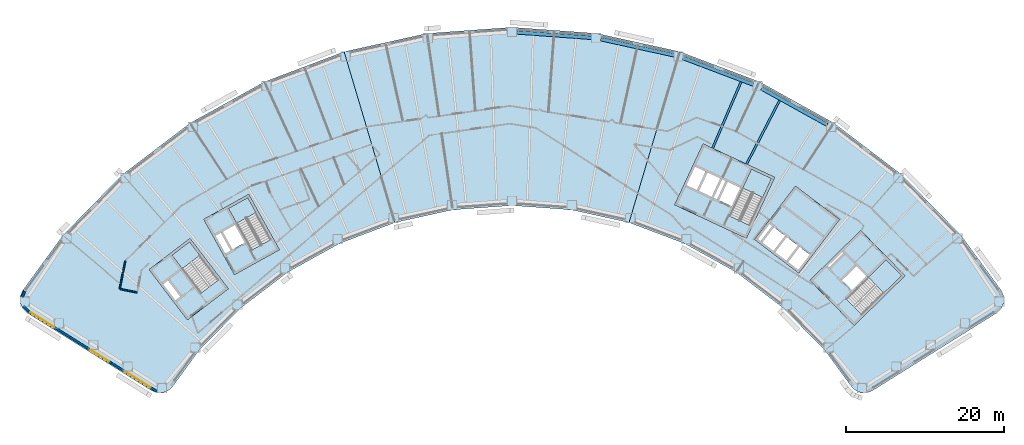
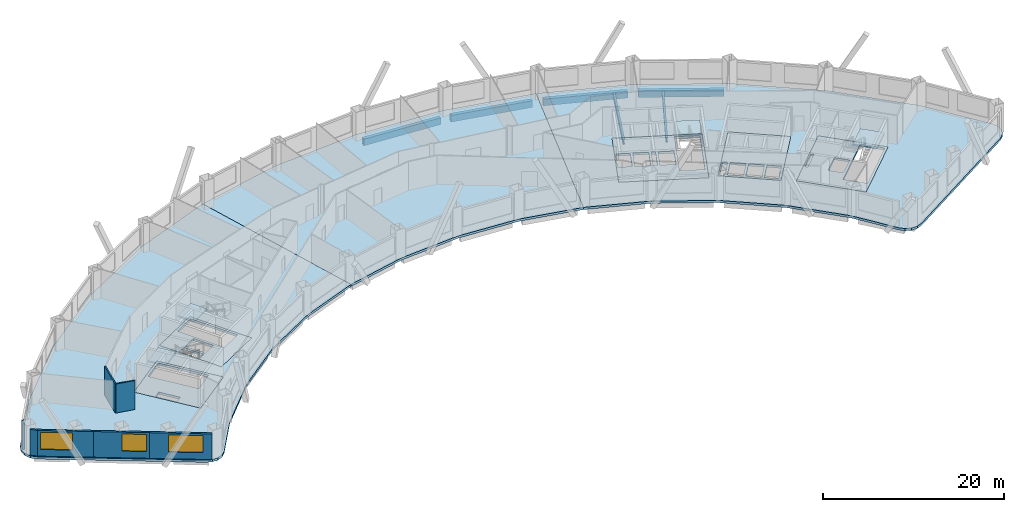
# One storey, part 2 of 12: 12 slabs, 7 walls, 6 beams, 3 windows, 3 openings, 4 elements without a shape of their own.
"""IFC4 building model written with IfcOpenShell, lengths in metres."""

from ifc_helpers import new_model, si_unit, direction, frame, frame_2d, origin, origin_2d, place, context, subcontext, project, spatial, polyline, rectangle, hollow_rectangle, i_section, outline, extrude, material, layer, layer_set, material_profile, profile_set, type_object, element, fill, aggregate, save


model = new_model("IFC4")

# Units and contexts
model_context = context("Model", 3, precision=1e-05, world=origin(), true_north=direction((0.0, 1.0)))
body_context = subcontext(model_context, "Body", "Model", "MODEL_VIEW")
ifc_project = project(units=[si_unit("LENGTHUNIT", "METRE"), si_unit("AREAUNIT", "SQUARE_METRE"), si_unit("VOLUMEUNIT", "CUBIC_METRE"), si_unit("PLANEANGLEUNIT", "RADIAN"), si_unit("MASSUNIT", "GRAM", prefix="KILO")], contexts=[model_context])

# Site, building, storey
site_placement = place(None, origin())
site = spatial("IfcSite", under=ifc_project, at=site_placement, CompositionType="ELEMENT")
building_placement = place(site_placement, origin())
building = spatial("IfcBuilding", under=site, at=building_placement, Name="Tuul Gate Civic Tower", CompositionType="ELEMENT")
storey_placement = place(building_placement, frame((0.0, 0.0, 73.800048828125)))
storey = spatial("IfcBuildingStorey", under=building, at=storey_placement, Name="Level 16", CompositionType="ELEMENT", Elevation=73.800048828125)

# Beams
ifc_material_1 = material(Name="Steel S355", Category="steel")
ifc_material_profile_1 = material_profile(ifc_material_1, i_section(OverallWidth=0.25, OverallDepth=0.64990234375, WebThickness=0.011962890625, FlangeThickness=0.02001953125, at=origin_2d()), Name="PG650x250x12x20")
ifc_profile_set_1 = profile_set([ifc_material_profile_1], Name="Steel S355")
beam_type_1 = type_object("IfcBeamType", Name="STR-FLOOR BEAM-PG650x250x12x20", PredefinedType="BEAM", material=ifc_profile_set_1)
beam_1_placement = place(storey_placement, frame((34.490478515625, 1.98095703125, -0.625), z_axis=(0.460790383982, 0.887508998281, 0.0), x_axis=(-0.887508998281, 0.460790383982, 0.0)))
element("IfcBeam", 1, at=beam_1_placement, inside=storey, type_object=beam_type_1, Name="Floor beam", PredefinedType="BEAM", context=body_context, shape_type="SweptSolid", body=[
    extrude(i_section(OverallWidth=0.25, OverallDepth=0.64990234375, WebThickness=0.011962890625, FlangeThickness=0.02001953125, at=origin_2d()), origin(), (0.0, 0.0, 1.0), 9.064453125),
])
beam_2_placement = place(storey_placement, frame((30.191162109375, 3.98583984375, -0.625), z_axis=(0.394199935174, 0.919024706474, 0.0), x_axis=(-0.919024706474, 0.394199935174, 0.0)))
element("IfcBeam", 2, at=beam_2_placement, inside=storey, type_object=beam_type_1, Name="Floor beam", PredefinedType="BEAM", context=body_context, shape_type="SweptSolid", body=[
    extrude(i_section(OverallWidth=0.25, OverallDepth=0.64990234375, WebThickness=0.011962890625, FlangeThickness=0.02001953125, at=origin_2d()), origin(), (0.0, 0.0, 1.0), 9.1337890625),
])
ifc_material_2 = material(Name="Steel S355", Category="steel")
ifc_material_profile_2 = material_profile(ifc_material_2, hollow_rectangle(XDim=0.449951171875, YDim=0.89990234375, WallThickness=0.02490234375, at=origin_2d()), Name="BOX900x450x25")
ifc_profile_set_2 = profile_set([ifc_material_profile_2], Name="Steel S355")
beam_type_2 = type_object("IfcBeamType", Name="STR-SPANDREL BEAM-BOX900x450x25", PredefinedType="BEAM", material=ifc_profile_set_2)
beam_3_placement = place(storey_placement, frame((44.686279296875, 6.974853515625, -0.75), z_axis=(-0.874608888761, 0.484829136604, 0.0), x_axis=(-0.484829136604, -0.874608888761, 0.0)))
element("IfcBeam", 3, at=beam_3_placement, inside=storey, type_object=beam_type_2, Name="Spandrel beam", PredefinedType="BEAM", context=body_context, shape_type="SweptSolid", body=[
    extrude(hollow_rectangle(XDim=0.449951171875, YDim=0.89990234375, WallThickness=0.02490234375, at=origin_2d()), origin(), (0.0, 0.0, 1.0), 9.47802734375),
])
beam_4_placement = place(storey_placement, frame((35.310791015625, 12.0732421875, -0.75), z_axis=(-0.935376104649, 0.353654552993, 0.0), x_axis=(-0.353654552993, -0.935376104649, 0.0)))
element("IfcBeam", 4, at=beam_4_placement, inside=storey, type_object=beam_type_2, Name="Spandrel beam", PredefinedType="BEAM", context=body_context, shape_type="SweptSolid", body=[
    extrude(hollow_rectangle(XDim=0.449951171875, YDim=0.89990234375, WallThickness=0.02490234375, at=origin_2d()), origin(), (0.0, 0.0, 1.0), 9.47705078125),
])
beam_5_placement = place(storey_placement, frame((25.299072265625, 15.76611328125, -0.75), z_axis=(-0.97656320303, 0.215230830708, 0.0), x_axis=(-0.215230830708, -0.97656320303, 0.0)))
element("IfcBeam", 5, at=beam_5_placement, inside=storey, type_object=beam_type_2, Name="Spandrel beam", PredefinedType="BEAM", context=body_context, shape_type="SweptSolid", body=[
    extrude(hollow_rectangle(XDim=0.449951171875, YDim=0.89990234375, WallThickness=0.02490234375, at=origin_2d()), origin(), (0.0, 0.0, 1.0), 9.477294921875),
])
beam_6_placement = place(storey_placement, frame((14.859619140625, 17.978271484375, -0.75), z_axis=(-0.997382561925, 0.07230508397, 0.0), x_axis=(-0.07230508397, -0.997382561925, 0.0)))
element("IfcBeam", 6, at=beam_6_placement, inside=storey, type_object=beam_type_2, Name="Spandrel beam", PredefinedType="BEAM", context=body_context, shape_type="SweptSolid", body=[
    extrude(hollow_rectangle(XDim=0.449951171875, YDim=0.89990234375, WallThickness=0.02490234375, at=origin_2d()), origin(), (0.0, 0.0, 1.0), 9.47802734375),
])

# Slabs
ifc_material_3 = material(Name="Concrete C40/50", Category="concrete")
ifc_layer_1 = layer(ifc_material_3, 0.300048828125)
ifc_layer_set_1 = layer_set([ifc_layer_1], Name="Concrete C40/50")
slab_type_1 = type_object("IfcSlabType", Name="Core floor slab 300", PredefinedType="FLOOR", material=ifc_layer_set_1)
slab_1_placement = place(storey_placement, frame((0.0, 0.0, -0.300048828125)))
element("IfcSlab", 7, at=slab_1_placement, inside=storey, type_object=slab_type_1, Name="FLOOR SLAB", PredefinedType="FLOOR", context=body_context, shape_type="SweptSolid", body=[
    extrude(outline(polyline([(-31.10009765625, -13.7890625), (-35.946044921875, -7.423828125), (-41.11767578125, -11.361572265625), (-36.271484375, -17.726806640625), (-31.10009765625, -13.7890625)]), holes=[polyline([(-37.19287109375, -14.783203125), (-38.737548828125, -12.75439453125), (-39.45361328125, -13.299560546875), (-37.908935546875, -15.328369140625), (-37.19287109375, -14.783203125)]), polyline([(-32.33935546875, -12.65771484375), (-34.56591796875, -14.352783203125), (-38.229736328125, -9.54052734375), (-36.003173828125, -7.845458984375), (-32.33935546875, -12.65771484375)])]), origin(), (0.0, 0.0, 1.0), 0.300048828125),
])
slab_2_placement = place(storey_placement, frame((0.0, 0.0, -0.300048828125)))
element("IfcSlab", 8, at=slab_2_placement, inside=storey, type_object=slab_type_1, Name="FLOOR SLAB", PredefinedType="FLOOR", context=body_context, shape_type="SweptSolid", body=[
    extrude(outline(polyline([(-24.638916015625, -8.846923828125), (-28.51708984375, -1.849853515625), (-34.2021484375, -5.0009765625), (-30.32421875, -11.998046875), (-24.638916015625, -8.846923828125)]), holes=[polyline([(-29.0185546875, -7.958740234375), (-30.254638671875, -5.728515625), (-31.785400390625, -6.576904296875), (-30.54931640625, -8.80712890625), (-29.0185546875, -7.958740234375)]), polyline([(-30.8115234375, -8.95263671875), (-32.047607421875, -6.72216796875), (-32.8349609375, -7.158447265625), (-31.5986328125, -9.388916015625), (-30.8115234375, -8.95263671875)]), polyline([(-25.702392578125, -7.548828125), (-28.14990234375, -8.905517578125), (-31.08203125, -3.615234375), (-28.63427734375, -2.2587890625), (-25.702392578125, -7.548828125)])]), origin(), (0.0, 0.0, 1.0), 0.300048828125),
])
slab_3_placement = place(storey_placement, frame((0.0, 0.0, -0.300048828125)))
element("IfcSlab", 9, at=slab_3_placement, inside=storey, type_object=slab_type_1, Name="FLOOR SLAB", PredefinedType="FLOOR", context=body_context, shape_type="SweptSolid", body=[
    extrude(outline(polyline([(48.117919921875, -18.43310546875), (54.545166015625, -12.1328125), (48.945068359375, -6.419921875), (42.517822265625, -12.719970703125), (48.117919921875, -18.43310546875)]), holes=[polyline([(47.808837890625, -13.974853515625), (49.6298828125, -12.18994140625), (48.40478515625, -10.940185546875), (46.583984375, -12.72509765625), (47.808837890625, -13.974853515625)]), polyline([(44.93896484375, -11.046875), (46.760009765625, -9.261962890625), (46.514892578125, -9.011962890625), (44.69384765625, -10.797119140625), (44.93896484375, -11.046875)]), polyline([(49.086181640625, -17.062744140625), (47.12744140625, -15.064208984375), (52.160888671875, -10.130126953125), (54.11962890625, -12.128662109375), (49.086181640625, -17.062744140625)])]), origin(), (0.0, 0.0, 1.0), 0.300048828125),
])
slab_4_placement = place(storey_placement, frame((0.0, 0.0, -0.300048828125)))
element("IfcSlab", 10, at=slab_4_placement, inside=storey, type_object=slab_type_1, Name="FLOOR SLAB", PredefinedType="FLOOR", context=body_context, shape_type="SweptSolid", body=[
    extrude(outline(polyline([(34.465087890625, -7.385986328125), (38.056884765625, 0.31787109375), (28.993896484375, 4.543701171875), (25.40185546875, -3.159912109375), (34.465087890625, -7.385986328125)]), holes=[polyline([(32.60888671875, -3.32080078125), (33.6865234375, -1.009765625), (32.1005859375, -0.27001953125), (31.02294921875, -2.581298828125), (32.60888671875, -3.32080078125)]), polyline([(30.0712890625, -2.137451171875), (31.14892578125, 0.173583984375), (29.562744140625, 0.9130859375), (28.4853515625, -1.39794921875), (30.0712890625, -2.137451171875)]), polyline([(30.751220703125, -2.454345703125), (31.82861328125, -0.143310546875), (31.4208984375, 0.046875), (30.34326171875, -2.264404296875), (30.751220703125, -2.454345703125)]), polyline([(28.21337890625, -1.27099609375), (29.291015625, 1.0400390625), (27.8408203125, 1.71630859375), (26.76318359375, -0.594970703125), (28.21337890625, -1.27099609375)]), polyline([(34.889892578125, -5.7626953125), (32.353759765625, -4.580078125), (35.120849609375, 1.354736328125), (37.6572265625, 0.17236328125), (34.889892578125, -5.7626953125)])]), origin(), (0.0, 0.0, 1.0), 0.300048828125),
])
ifc_material_4 = material(Name="Concrete C40/50", Category="concrete")
ifc_layer_2 = layer(ifc_material_4, 0.300048828125)
ifc_layer_set_2 = layer_set([ifc_layer_2], Name="Concrete C40/50")
slab_type_2 = type_object("IfcSlabType", Name="Core floor slab 300 non-bearing", PredefinedType="FLOOR", material=ifc_layer_set_2)
slab_5_placement = place(storey_placement, frame((0.0, 0.0, -0.300048828125)))
element("IfcSlab", 11, at=slab_5_placement, inside=storey, type_object=slab_type_2, Name="FLOOR SLAB", PredefinedType="FLOOR", context=body_context, shape_type="SweptSolid", body=[
    extrude(outline(polyline([(41.10107421875, -11.797119140625), (46.25, -5.033935546875), (40.680908203125, -0.79296875), (35.531982421875, -7.555908203125), (41.10107421875, -11.797119140625)]), holes=[polyline([(41.044189453125, -11.37646484375), (42.497802734375, -9.467041015625), (41.22509765625, -8.49755859375), (39.77099609375, -10.4072265625), (41.044189453125, -11.37646484375)]), polyline([(39.532470703125, -10.225341796875), (40.986328125, -8.31591796875), (39.593994140625, -7.255615234375), (38.14013671875, -9.165283203125), (39.532470703125, -10.225341796875)]), polyline([(37.901611328125, -8.9833984375), (39.35546875, -7.073974609375), (37.963134765625, -6.013671875), (36.50927734375, -7.923095703125), (37.901611328125, -8.9833984375)]), polyline([(36.1796875, -7.860595703125), (37.724609375, -5.831787109375), (37.286865234375, -5.49853515625), (35.7421875, -7.527587890625), (36.1796875, -7.860595703125)])]), origin(), (0.0, 0.0, 1.0), 0.300048828125),
])

# Stair, slab
ifc_material_5 = material(Name="Concrete C40/50", Category="concrete")
stair_type = type_object("IfcStairType", Name="Exit stair", PredefinedType="HALF_TURN_STAIR", material=ifc_material_5)
stair_1_placement = place(storey_placement, origin())
stair_1 = element("IfcStair", 12, at=stair_1_placement, inside=storey, type_object=stair_type, Name="Level 16 ST-1", PredefinedType="HALF_TURN_STAIR")
ifc_material_6 = material(Name="Concrete C40/50", Category="concrete")
ifc_layer_3 = layer(ifc_material_6, 0.199951171875)
ifc_layer_set_3 = layer_set([ifc_layer_3], Name="Concrete C40/50")
slab_type_3 = type_object("IfcSlabType", Name="Exit stair landing", PredefinedType="LANDING", material=ifc_layer_set_3)
slab_6_placement = place(storey_placement, frame((0.0, 0.0, 1.89990234375)))
slab_6 = element("IfcSlab", 13, at=slab_6_placement, type_object=slab_type_3, Name="ST-1 landing 1", PredefinedType="LANDING", context=body_context, shape_type="SweptSolid", body=[
    extrude(outline(polyline([(-34.699462890625, -9.554931640625), (-36.9287109375, -11.252197265625), (-38.23193359375, -9.540283203125), (-36.0029296875, -7.843017578125), (-34.699462890625, -9.554931640625)])), origin(), (0.0, 0.0, 1.0), 0.199951171875),
])
aggregate(stair_1, [slab_6])

stair_2_placement = place(storey_placement, origin())
stair_2 = element("IfcStair", 14, at=stair_2_placement, inside=storey, type_object=stair_type, Name="Level 16 ST-2", PredefinedType="HALF_TURN_STAIR")
slab_7_placement = place(storey_placement, frame((0.0, 0.0, 1.89990234375)))
slab_7 = element("IfcSlab", 15, at=slab_7_placement, type_object=slab_type_3, Name="ST-2 landing 1", PredefinedType="LANDING", context=body_context, shape_type="SweptSolid", body=[
    extrude(outline(polyline([(-27.5908203125, -4.138427734375), (-30.041015625, -5.49658203125), (-31.084228515625, -3.61474609375), (-28.6337890625, -2.256591796875), (-27.5908203125, -4.138427734375)])), origin(), (0.0, 0.0, 1.0), 0.199951171875),
])
aggregate(stair_2, [slab_7])

stair_3_placement = place(storey_placement, origin())
stair_3 = element("IfcStair", 16, at=stair_3_placement, inside=storey, type_object=stair_type, Name="Level 16 ST-3", PredefinedType="HALF_TURN_STAIR")
slab_8_placement = place(storey_placement, frame((0.0, 0.0, 1.89990234375)))
slab_8 = element("IfcSlab", 17, at=slab_8_placement, type_object=slab_type_3, Name="ST-3 landing 1", PredefinedType="LANDING", context=body_context, shape_type="SweptSolid", body=[
    extrude(outline(polyline([(51.871337890625, -14.3349609375), (49.91015625, -12.334228515625), (52.160888671875, -10.1279296875), (54.1220703125, -12.128662109375), (51.871337890625, -14.3349609375)])), origin(), (0.0, 0.0, 1.0), 0.199951171875),
])
aggregate(stair_3, [slab_8])

stair_4_placement = place(storey_placement, origin())
stair_4 = element("IfcStair", 18, at=stair_4_placement, inside=storey, type_object=stair_type, Name="Level 16 ST-4", PredefinedType="HALF_TURN_STAIR")
slab_9_placement = place(storey_placement, frame((0.0, 0.0, 1.89990234375)))
slab_9 = element("IfcSlab", 19, at=slab_9_placement, type_object=slab_type_3, Name="ST-4 landing 1", PredefinedType="LANDING", context=body_context, shape_type="SweptSolid", body=[
    extrude(outline(polyline([(36.538818359375, -2.230224609375), (33.999755859375, -1.046142578125), (35.1201171875, 1.35693359375), (37.659423828125, 0.173095703125), (36.538818359375, -2.230224609375)])), origin(), (0.0, 0.0, 1.0), 0.199951171875),
])
aggregate(stair_4, [slab_9])

# Slabs
ifc_material_7 = material(Name="Concrete C35/45", Category="concrete")
ifc_layer_4 = layer(ifc_material_7, 0.300048828125)
ifc_layer_set_4 = layer_set([ifc_layer_4], Name="Concrete C35/45")
slab_type_4 = type_object("IfcSlabType", Name="STR-FLOOR-SLAB-300", PredefinedType="FLOOR", material=ifc_layer_set_4)
slab_10_placement = place(storey_placement, frame((0.0, 0.0, -0.300048828125)))
element("IfcSlab", 20, at=slab_10_placement, inside=storey, type_object=slab_type_4, Name="Level 16/slab/W", PredefinedType="FLOOR", context=body_context, shape_type="SweptSolid", body=[
    extrude(outline(polyline([(-10.006103515625, -5.407958984375), (-16.43994140625, 16.214111328125), (-26.508056640625, 12.406982421875), (-35.923095703125, 7.18798828125), (-44.487060546875, 0.6669921875), (-52.02294921875, -7.02001953125), (-57.10302734375, -13.97607421875), (-57.43994140625, -14.718994140625), (-57.451904296875, -15.534912109375), (-57.136962890625, -16.2880859375), (-56.548095703125, -16.85205078125), (-40.818115234375, -26.680908203125), (-40.1240234375, -26.950927734375), (-39.37890625, -26.948974609375), (-38.68701171875, -26.674072265625), (-38.14306640625, -26.1650390625), (-34.81396484375, -21.60693359375), (-29.56005859375, -16.2470703125), (-23.589111328125, -11.700927734375), (-17.02490234375, -8.06298828125), (-10.006103515625, -5.407958984375)]), holes=[polyline([(-31.10009765625, -13.7890625), (-36.27197265625, -17.72705078125), (-41.117919921875, -11.362060546875), (-35.946044921875, -7.424072265625), (-31.10009765625, -13.7890625)]), polyline([(-24.638916015625, -8.846923828125), (-30.323974609375, -11.998046875), (-34.201904296875, -5.0009765625), (-28.51708984375, -1.85009765625), (-24.638916015625, -8.846923828125)])]), origin(), (0.0, 0.0, 1.0), 0.300048828125),
])
slab_11_placement = place(storey_placement, frame((0.0, 0.0, -0.300048828125)))
element("IfcSlab", 21, at=slab_11_placement, inside=storey, type_object=slab_type_4, Name="Level 16/slab/M", PredefinedType="FLOOR", context=body_context, shape_type="SweptSolid", body=[
    extrude(outline(polyline([(19.6220703125, -5.407958984375), (26.055908203125, 16.214111328125), (15.5439453125, 18.531005859375), (4.80810546875, 19.30810546875), (-5.927978515625, 18.531005859375), (-16.43994140625, 16.214111328125), (-10.006103515625, -5.407958984375), (-2.677001953125, -3.79296875), (4.80810546875, -3.2509765625), (12.29296875, -3.79296875), (19.6220703125, -5.407958984375)])), origin(), (0.0, 0.0, 1.0), 0.300048828125),
])
slab_12_placement = place(storey_placement, frame((0.0, 0.0, -0.300048828125)))
element("IfcSlab", 22, at=slab_12_placement, inside=storey, type_object=slab_type_4, Name="Level 16/slab/E", PredefinedType="FLOOR", context=body_context, shape_type="SweptSolid", body=[
    extrude(outline(polyline([(49.739990234375, -26.950927734375), (50.43408203125, -26.680908203125), (66.1640625, -16.85205078125), (66.75390625, -16.2880859375), (67.068115234375, -15.534912109375), (67.055908203125, -14.718994140625), (66.719970703125, -13.97607421875), (61.638916015625, -7.02001953125), (54.10400390625, 0.6669921875), (45.5400390625, 7.18798828125), (36.125, 12.406982421875), (26.055908203125, 16.214111328125), (19.6220703125, -5.407958984375), (26.64208984375, -8.06298828125), (33.2060546875, -11.700927734375), (39.177001953125, -16.2470703125), (44.429931640625, -21.60693359375), (47.760009765625, -26.1650390625), (48.302978515625, -26.674072265625), (48.9951171875, -26.948974609375), (49.739990234375, -26.950927734375)]), holes=[polyline([(48.117919921875, -18.43310546875), (42.51806640625, -12.719970703125), (48.945068359375, -6.419921875), (54.544921875, -12.133056640625), (48.117919921875, -18.43310546875)]), polyline([(35.531982421875, -7.555908203125), (40.680908203125, -0.79296875), (46.25, -5.033935546875), (41.10107421875, -11.797119140625), (35.531982421875, -7.555908203125)]), polyline([(25.402099609375, -3.159912109375), (28.993896484375, 4.5439453125), (38.056884765625, 0.318115234375), (34.465087890625, -7.385986328125), (25.402099609375, -3.159912109375)])]), origin(), (0.0, 0.0, 1.0), 0.300048828125),
])

# Walls
ifc_material_8 = material(Name="Gypsum board partition")
ifc_layer_5 = layer(ifc_material_8, 0.14990234375)
ifc_layer_set_5 = layer_set([ifc_layer_5], Name="Gypsum board partition")
wall_type_1 = type_object("IfcWallType", Name="Corridor wall P150", PredefinedType="PARTITIONING", material=ifc_layer_set_5)
wall_1_placement = place(storey_placement, frame((-44.85205078125, -13.807861328125, 0.0), z_axis=(0.0, 0.0, 1.0), x_axis=(0.199641508505, 0.979869005573, 0.0)))
element("IfcWall", 23, at=wall_1_placement, inside=storey, type_object=wall_type_1, Name="p043", PredefinedType="PARTITIONING", context=body_context, shape_type="SweptSolid", body=[
    extrude(rectangle(XDim=3.634521484375, YDim=0.14990234375, at=frame_2d((1.8173828125, 0.0))), origin(), (0.0, 0.0, 1.0), 3.89990234375),
])
wall_2_placement = place(storey_placement, frame((-44.85205078125, -13.807861328125, 0.0), z_axis=(0.0, 0.0, 1.0), x_axis=(0.979869081236, -0.199641137136, 0.0)))
element("IfcWall", 24, at=wall_2_placement, inside=storey, type_object=wall_type_1, Name="p054", PredefinedType="PARTITIONING", context=body_context, shape_type="SweptSolid", body=[
    extrude(rectangle(XDim=2.250244140625, YDim=0.14990234375, at=frame_2d((1.125, 0.0))), origin(), (0.0, 0.0, 1.0), 3.89990234375),
])
ifc_material_9 = material(Name="Precast concrete C40/50", Category="concrete")
ifc_layer_6 = layer(ifc_material_9, 0.25)
ifc_layer_set_6 = layer_set([ifc_layer_6], Name="Precast concrete C40/50")
wall_type_2 = type_object("IfcWallType", Name="External wall", PredefinedType="STANDARD", material=ifc_layer_set_6)
wall_3_placement = place(storey_placement, frame((-56.8681640625, -14.116455078125, 0.0), z_axis=(0.0, 0.0, 1.0), x_axis=(-0.412280175097, -0.911057109748, 0.0)))
element("IfcWall", 25, at=wall_3_placement, inside=storey, type_object=wall_type_2, Name="External wall", PredefinedType="STANDARD", context=body_context, shape_type="SweptSolid", body=[
    extrude(rectangle(XDim=0.7734375, YDim=0.25, at=frame_2d((0.38671875, 0.0))), origin(), (0.0, 0.0, 1.0), 3.449951171875),
])
wall_4_placement = place(storey_placement, frame((-57.022216796875, -16.02099609375, 0.0), z_axis=(0.0, 0.0, 1.0), x_axis=(0.722079843393, -0.691809728007, 0.0)))
element("IfcWall", 26, at=wall_4_placement, inside=storey, type_object=wall_type_2, Name="External wall", PredefinedType="STANDARD", context=body_context, shape_type="SweptSolid", body=[
    extrude(rectangle(XDim=0.88720703125, YDim=0.25, at=frame_2d((0.443603515625, 0.0))), origin(), (0.0, 0.0, 1.0), 3.449951171875),
])

# Wall, opening, window
wall_5_placement = place(storey_placement, frame((-56.40185546875, -16.618896484375, 0.0), z_axis=(0.0, 0.0, 1.0), x_axis=(0.848053758074, -0.529910203164, 0.0)))
wall_5 = element("IfcWall", 27, at=wall_5_placement, inside=storey, type_object=wall_type_2, Name="External wall", PredefinedType="STANDARD", context=body_context, shape_type="SweptSolid", body=[
    extrude(rectangle(XDim=6.182861328125, YDim=0.25, at=frame_2d((3.09130859375, 0.0))), origin(), (0.0, 0.0, 1.0), 3.449951171875),
])
opening_1_placement = place(wall_5_placement, frame((0.319091796875, 0.0, 0.89990234375)))
opening_1 = element("IfcOpeningElement", 28, at=opening_1_placement, cuts=wall_5, Name="Opening W74", PredefinedType="OPENING", context=body_context, shape_type="SweptSolid", body=[
    extrude(rectangle(XDim=3.5, YDim=2.300048828125, at=frame_2d((1.75, 1.14990234375))), frame((0.0, 0.135009765625, 0.0), z_axis=(0.0, -1.0, 0.0), x_axis=(1.0, 0.0, 0.0)), (0.0, 0.0, 1.0), 0.27001953125),
])
ifc_material_10 = material(Name="Glass", Category="glass")
window_type_1 = type_object("IfcWindowType", Name="Window 3500 x 2300", PartitioningType="SINGLE_PANEL", PredefinedType="WINDOW", material=ifc_material_10)
window_1_placement = place(opening_1_placement, origin())
window_1 = element("IfcWindow", 29, at=window_1_placement, inside=storey, type_object=window_type_1, Name="Window", OverallHeight=2.300048828125, OverallWidth=3.5, PartitioningType="SINGLE_PANEL", PredefinedType="WINDOW", context=body_context, shape_type="SweptSolid", body=[
    extrude(rectangle(XDim=3.5, YDim=2.300048828125, at=frame_2d((1.75, 1.14990234375))), frame((0.0, 0.030029296875, 0.0), z_axis=(0.0, -1.0, 0.0), x_axis=(1.0, 0.0, 0.0)), (0.0, 0.0, 1.0), 0.06005859375),
])
fill(opening_1, window_1)

wall_6_placement = place(storey_placement, frame((-51.158447265625, -19.895263671875, 0.0), z_axis=(0.0, 0.0, 1.0), x_axis=(0.848053758074, -0.529910203164, 0.0)))
wall_6 = element("IfcWall", 30, at=wall_6_placement, inside=storey, type_object=wall_type_2, Name="External wall", PredefinedType="STANDARD", context=body_context, shape_type="SweptSolid", body=[
    extrude(rectangle(XDim=6.182861328125, YDim=0.25, at=frame_2d((3.09130859375, 0.0))), origin(), (0.0, 0.0, 1.0), 3.449951171875),
])
opening_2_placement = place(wall_6_placement, frame((3.10302734375, 0.0, 0.89990234375)))
opening_2 = element("IfcOpeningElement", 31, at=opening_2_placement, cuts=wall_6, Name="Opening W30", PredefinedType="OPENING", context=body_context, shape_type="SweptSolid", body=[
    extrude(rectangle(XDim=2.75, YDim=2.300048828125, at=frame_2d((1.375, 1.14990234375))), frame((0.0, 0.135009765625, 0.0), z_axis=(0.0, -1.0, 0.0), x_axis=(1.0, 0.0, 0.0)), (0.0, 0.0, 1.0), 0.27001953125),
])
ifc_material_11 = material(Name="Glass", Category="glass")
window_type_2 = type_object("IfcWindowType", Name="Window 2750 x 2300", PartitioningType="SINGLE_PANEL", PredefinedType="WINDOW", material=ifc_material_11)
window_2_placement = place(opening_2_placement, origin())
window_2 = element("IfcWindow", 32, at=window_2_placement, inside=storey, type_object=window_type_2, Name="Window", OverallHeight=2.300048828125, OverallWidth=2.75, PartitioningType="SINGLE_PANEL", PredefinedType="WINDOW", context=body_context, shape_type="SweptSolid", body=[
    extrude(rectangle(XDim=2.75, YDim=2.300048828125, at=frame_2d((1.375, 1.14990234375))), frame((0.0, 0.030029296875, 0.0), z_axis=(0.0, -1.0, 0.0), x_axis=(1.0, 0.0, 0.0)), (0.0, 0.0, 1.0), 0.06005859375),
])
fill(opening_2, window_2)

wall_7_placement = place(storey_placement, frame((-45.9150390625, -23.171630859375, 0.0), z_axis=(0.0, 0.0, 1.0), x_axis=(0.848052242305, -0.529912628951, 0.0)))
wall_7 = element("IfcWall", 33, at=wall_7_placement, inside=storey, type_object=wall_type_2, Name="External wall", PredefinedType="STANDARD", context=body_context, shape_type="SweptSolid", body=[
    extrude(rectangle(XDim=6.865234375, YDim=0.25, at=frame_2d((3.4326171875, 0.0))), origin(), (0.0, 0.0, 1.0), 3.449951171875),
])
opening_3_placement = place(wall_7_placement, frame((2.06591796875, 0.0, 0.89990234375)))
opening_3 = element("IfcOpeningElement", 34, at=opening_3_placement, cuts=wall_7, Name="Opening W100", PredefinedType="OPENING", context=body_context, shape_type="SweptSolid", body=[
    extrude(rectangle(XDim=3.800048828125, YDim=2.300048828125, at=frame_2d((1.89990234375, 1.14990234375))), frame((0.0, 0.135009765625, 0.0), z_axis=(0.0, -1.0, 0.0), x_axis=(1.0, 0.0, 0.0)), (0.0, 0.0, 1.0), 0.27001953125),
])
ifc_material_12 = material(Name="Glass", Category="glass")
window_type_3 = type_object("IfcWindowType", Name="Window W100 3800 x 2300", PartitioningType="SINGLE_PANEL", PredefinedType="WINDOW", material=ifc_material_12)
window_3_placement = place(opening_3_placement, origin())
window_3 = element("IfcWindow", 35, at=window_3_placement, inside=storey, type_object=window_type_3, Name="Window", OverallHeight=2.300048828125, OverallWidth=3.800048828125, PartitioningType="SINGLE_PANEL", PredefinedType="WINDOW", context=body_context, shape_type="SweptSolid", body=[
    extrude(rectangle(XDim=3.800048828125, YDim=2.300048828125, at=frame_2d((1.89990234375, 1.14990234375))), frame((0.0, 0.030029296875, 0.0), z_axis=(0.0, -1.0, 0.0), x_axis=(1.0, 0.0, 0.0)), (0.0, 0.0, 1.0), 0.06005859375),
])
fill(opening_3, window_3)

save(model, "model.ifc")
